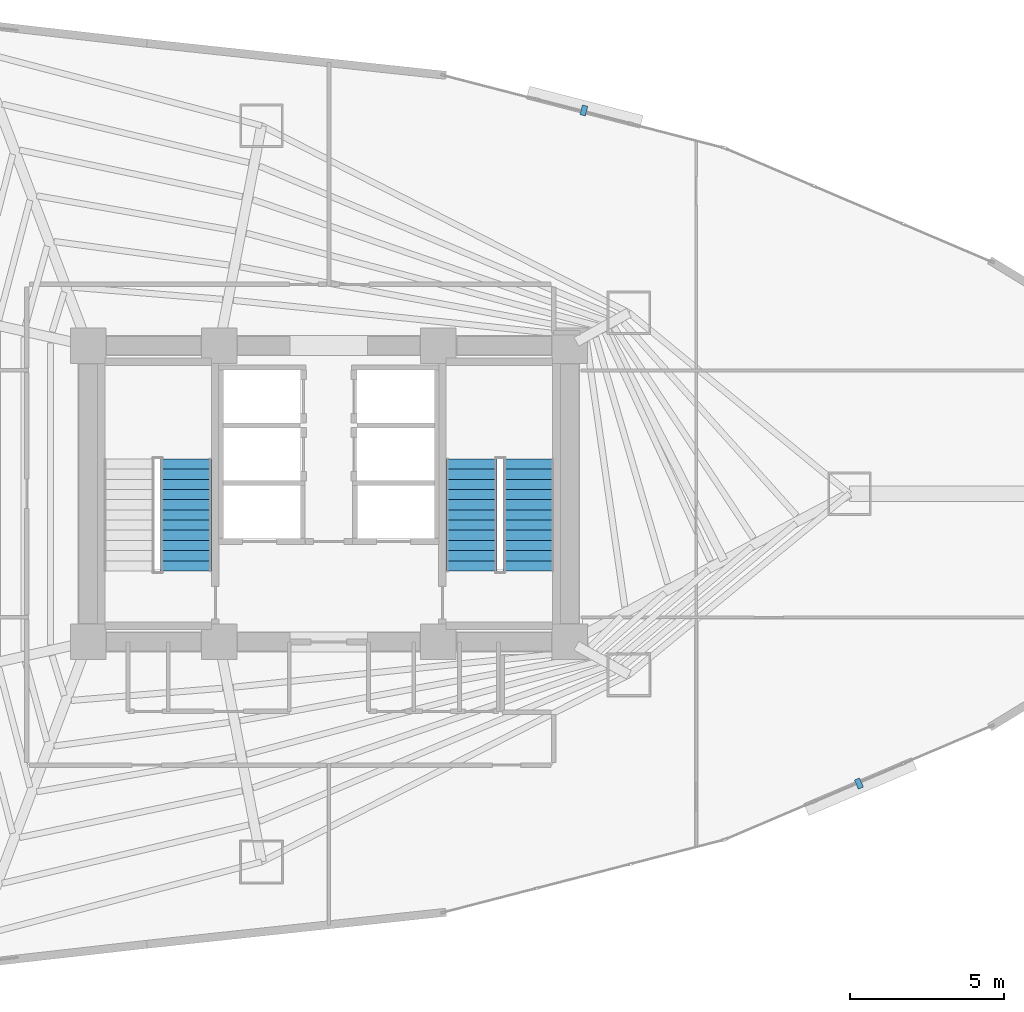
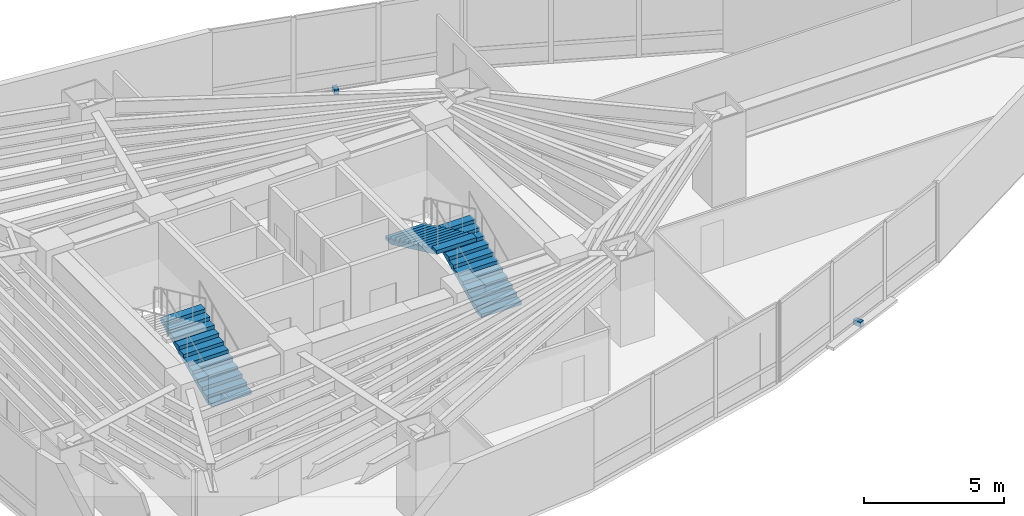
# One storey, part 17 of 20: 3 stair flights, 2 discrete accessories, 2 elements without a shape of their own.
"""IFC4 building model written with IfcOpenShell, lengths in metres."""

from ifc_helpers import new_model, si_unit, direction, frame, origin, origin_2d, place, context, subcontext, project, spatial, polyline, rectangle, outline, extrude, material, type_object, element, aggregate, save


model = new_model("IFC4")

# Units and contexts
model_context = context("Model", 3, precision=1e-05, world=origin(), true_north=direction((0.0, 1.0)))
body_context = subcontext(model_context, "Body", "Model", "MODEL_VIEW")
ifc_project = project(units=[si_unit("LENGTHUNIT", "METRE"), si_unit("AREAUNIT", "SQUARE_METRE"), si_unit("VOLUMEUNIT", "CUBIC_METRE"), si_unit("PLANEANGLEUNIT", "RADIAN"), si_unit("MASSUNIT", "GRAM", prefix="KILO")], contexts=[model_context])

# Site, building, storey
site_placement = place(None, origin())
site = spatial("IfcSite", under=ifc_project, at=site_placement, CompositionType="ELEMENT")
building_placement = place(site_placement, origin())
building = spatial("IfcBuilding", under=site, at=building_placement, Name="Menara Vayukalpa", CompositionType="ELEMENT")
storey_placement = place(building_placement, frame((0.0, 0.0, 64.800048828125)))
storey = spatial("IfcBuildingStorey", under=building, at=storey_placement, Name="L15", CompositionType="ELEMENT", Elevation=64.800048828125)

# Stair, stair flight
ifc_material_1 = material(Name="Precast Concrete C40/50", Category="concrete")
stair_type = type_object("IfcStairType", Name="STR-T04", PredefinedType="DOUBLE_RETURN_STAIR", material=ifc_material_1)
stair_1_placement = place(storey_placement, origin())
stair_1 = element("IfcStair", 1, at=stair_1_placement, inside=storey, type_object=stair_type, Name="L15 Core Exit Stair ST-1", PredefinedType="DOUBLE_RETURN_STAIR")
ifc_material_2 = material(Name="Precast Concrete C40/50", Category="concrete")
stair_flight_type = type_object("IfcStairFlightType", Name="STF-T04", PredefinedType="STRAIGHT", material=ifc_material_2)
stair_flight_1_placement = place(storey_placement, frame((20.97509765625, 19.5, 0.0), z_axis=(0.0, 0.0, 1.0), x_axis=(0.0, 1.0, 0.0)))
stair_flight_1 = element("IfcStairFlight", 2, at=stair_flight_1_placement, type_object=stair_flight_type, Name="ST-1 flight 1", NumberOfRisers=12, NumberOfTreads=11, PredefinedType="STRAIGHT", RiserHeight=0.155, TreadLength=0.33, context=body_context, shape_type="SweptSolid", body=[
    extrude(outline(polyline([(0.0, 0.0), (0.0, 0.155029296875), (0.330078125, 0.155029296875), (0.330078125, 0.31005859375), (0.659912109375, 0.31005859375), (0.659912109375, 0.465087890625), (0.989990234375, 0.465087890625), (0.989990234375, 0.6201171875), (1.320068359375, 0.6201171875), (1.320068359375, 0.77490234375), (1.64990234375, 0.77490234375), (1.64990234375, 0.929931640625), (1.97998046875, 0.929931640625), (1.97998046875, 1.0849609375), (2.31005859375, 1.0849609375), (2.31005859375, 1.239990234375), (2.639892578125, 1.239990234375), (2.639892578125, 1.39501953125), (2.969970703125, 1.39501953125), (2.969970703125, 1.550048828125), (3.300048828125, 1.550048828125), (3.300048828125, 1.705078125), (3.6298828125, 1.705078125), (3.6298828125, 1.860107421875), (3.6298828125, 1.539306640625), (0.3525390625, 0.0), (0.0, 0.0)])), frame((0.0, 0.824951171875, 0.0), z_axis=(0.0, -1.0, 0.0), x_axis=(1.0, 0.0, 0.0)), (0.0, 0.0, 1.0), 1.64990234375),
])
aggregate(stair_1, [stair_flight_1])

# Stair, stair flights
stair_2_placement = place(storey_placement, origin())
stair_2 = element("IfcStair", 3, at=stair_2_placement, inside=storey, type_object=stair_type, Name="L15 Core Exit Stair ST-2", PredefinedType="DOUBLE_RETURN_STAIR")
stair_flight_2_placement = place(storey_placement, frame((32.074951171875, 19.5, 0.0), z_axis=(0.0, 0.0, 1.0), x_axis=(0.0, 1.0, 0.0)))
stair_flight_2 = element("IfcStairFlight", 4, at=stair_flight_2_placement, type_object=stair_flight_type, Name="ST-2 flight 1", NumberOfRisers=12, NumberOfTreads=11, PredefinedType="STRAIGHT", RiserHeight=0.155, TreadLength=0.33, context=body_context, shape_type="SweptSolid", body=[
    extrude(outline(polyline([(0.0, 0.0), (0.0, 0.155029296875), (0.330078125, 0.155029296875), (0.330078125, 0.31005859375), (0.659912109375, 0.31005859375), (0.659912109375, 0.465087890625), (0.989990234375, 0.465087890625), (0.989990234375, 0.6201171875), (1.320068359375, 0.6201171875), (1.320068359375, 0.77490234375), (1.64990234375, 0.77490234375), (1.64990234375, 0.929931640625), (1.97998046875, 0.929931640625), (1.97998046875, 1.0849609375), (2.31005859375, 1.0849609375), (2.31005859375, 1.239990234375), (2.639892578125, 1.239990234375), (2.639892578125, 1.39501953125), (2.969970703125, 1.39501953125), (2.969970703125, 1.550048828125), (3.300048828125, 1.550048828125), (3.300048828125, 1.705078125), (3.6298828125, 1.705078125), (3.6298828125, 1.860107421875), (3.6298828125, 1.539306640625), (0.3525390625, 0.0), (0.0, 0.0)])), frame((0.0, 0.824951171875, 0.0), z_axis=(0.0, -1.0, 0.0), x_axis=(1.0, 0.0, 0.0)), (0.0, 0.0, 1.0), 1.64990234375),
])
stair_flight_3_placement = place(storey_placement, frame((30.22509765625, 23.1298828125, 1.85986328125), z_axis=(0.0, 0.0, 1.0), x_axis=(0.0, -1.0, 0.0)))
stair_flight_3 = element("IfcStairFlight", 5, at=stair_flight_3_placement, type_object=stair_flight_type, Name="ST-2 flight 2", NumberOfRisers=12, NumberOfTreads=11, PredefinedType="STRAIGHT", RiserHeight=0.155, TreadLength=0.33, context=body_context, shape_type="SweptSolid", body=[
    extrude(outline(polyline([(0.0, 0.0), (0.0, 0.155029296875), (0.330078125, 0.155029296875), (0.330078125, 0.31005859375), (0.659912109375, 0.31005859375), (0.659912109375, 0.465087890625), (0.989990234375, 0.465087890625), (0.989990234375, 0.6201171875), (1.320068359375, 0.6201171875), (1.320068359375, 0.77490234375), (1.64990234375, 0.77490234375), (1.64990234375, 0.929931640625), (1.97998046875, 0.929931640625), (1.97998046875, 1.0849609375), (2.31005859375, 1.0849609375), (2.31005859375, 1.239990234375), (2.639892578125, 1.239990234375), (2.639892578125, 1.39501953125), (2.969970703125, 1.39501953125), (2.969970703125, 1.550048828125), (3.300048828125, 1.550048828125), (3.300048828125, 1.705078125), (3.6298828125, 1.705078125), (3.6298828125, 1.860107421875), (3.6298828125, 1.539306640625), (0.3525390625, 0.0), (0.0, 0.0)])), frame((0.0, 0.824951171875, 0.0), z_axis=(0.0, -1.0, 0.0), x_axis=(1.0, 0.0, 0.0)), (0.0, 0.0, 1.0), 1.64990234375),
])
aggregate(stair_2, [stair_flight_2, stair_flight_3])

# Discrete accessories
ifc_material_3 = material(Name="Stainless Steel 316 Sunshade Bracket", Category="steel")
discrete_accessory_type = type_object("IfcDiscreteAccessoryType", Name="ACC-BRK1", PredefinedType="BRACKET", material=ifc_material_3)
for number, where, z_axis, x_axis, name in (
    (6, (33.86181640625, 34.416015625, -0.16015625), (0.0, 0.0, 1.0), (-0.968143270275, 0.25039690138, 0.0), "L15 Terracotta Sunshade Bracket 05"),
    (7, (42.7705078125, 12.615234375, -0.16015625), (0.0, 0.0, 1.0), (0.919958392769, 0.392016014434, 0.0), "L15 Terracotta Sunshade Bracket 17"),
):
    element("IfcDiscreteAccessory", number, at=place(storey_placement, frame(where, z_axis=z_axis, x_axis=x_axis)), inside=storey, type_object=discrete_accessory_type, Name=name, PredefinedType="BRACKET", context=body_context, shape_type="SweptSolid", body=[
        extrude(rectangle(XDim=0.179931640625, YDim=0.320068359375, at=origin_2d()), origin(), (0.0, 0.0, 1.0), 0.219970703125),
    ])

save(model, "model.ifc")
